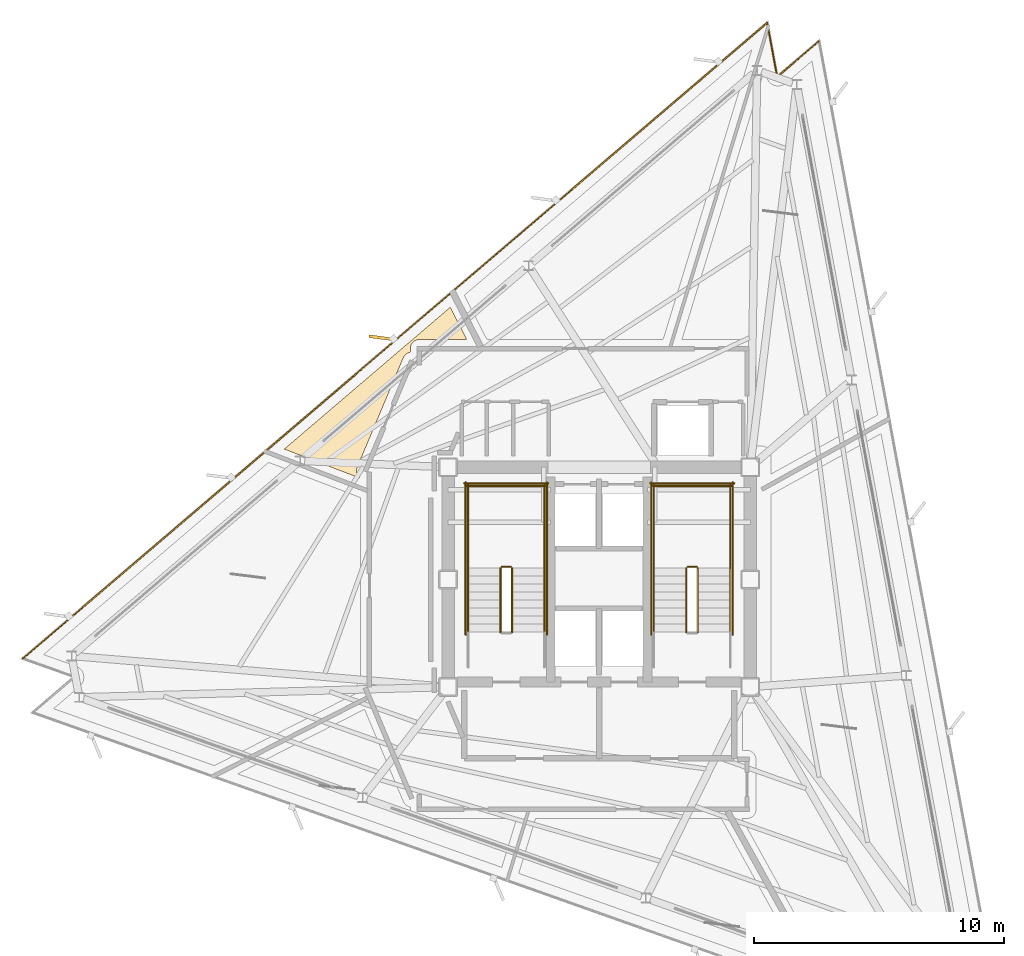
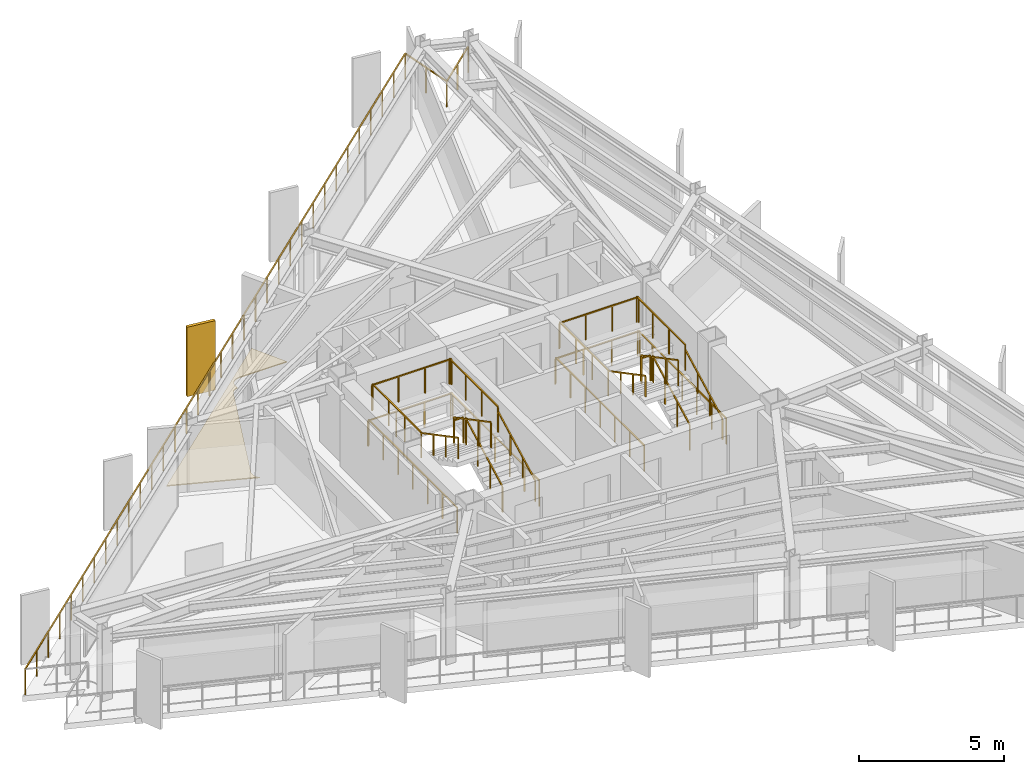
# One storey, part 12 of 14: 23 railings, 1 covering, 1 shading device.
"""IFC4 building model written with IfcOpenShell, lengths in metres."""

import ifcopenshell
import ifcopenshell.guid

model = None  # the IFC model being written
_history = None  # IfcOwnerHistory: only IFC2X3 demands one
_inside = {}  # id of a spatial element -> (the spatial element, [elements in it])
_under = {}  # id of a project, library or spatial element -> (it, [spatial elements below it])
_declared = {}  # id of a project -> (the project, [libraries it declares])
_typed = {}  # id of a type object -> (the type object, [elements of that type])
_made_of = {}  # id of a material, layer set ... -> (it, [elements and type objects made of it])


def new_model(schema):
    """Start an empty IFC model of exactly this schema.

    Asked for "IFC4X3", IfcOpenShell would pick the latest addendum, in which some entities
    have other attributes; the version numbers below select the first issue.
    IFC2X3 requires an IfcOwnerHistory on every rooted entity: one is made here for all.
    """
    global model, _history
    if schema == "IFC4X3":
        model = ifcopenshell.file(schema_version=(4, 3, 0, 0))
    else:
        model = ifcopenshell.file(schema=schema)
    _inside.clear()
    _under.clear()
    _declared.clear()
    _typed.clear()
    _made_of.clear()
    _history = None
    if model.schema == "IFC2X3":
        org = make("IfcOrganization", Name="unknown")
        user = make(
            "IfcPersonAndOrganization",
            ThePerson=make("IfcPerson", FamilyName="unknown"),
            TheOrganization=org,
        )
        app = make(
            "IfcApplication",
            ApplicationDeveloper=org,
            Version="unknown",
            ApplicationFullName="unknown",
            ApplicationIdentifier="unknown",
        )
        _history = make(
            "IfcOwnerHistory",
            OwningUser=user,
            OwningApplication=app,
            ChangeAction="ADDED",
            CreationDate=0,
        )
    return model


def make(cls, **values):
    """One entity of the class cls with the attributes given. An attribute that is None is left unset."""
    return model.create_entity(
        cls, **{name: value for name, value in values.items() if value is not None}
    )


def rooted(cls, **values):
    """An entity with a GlobalId (a new one), such as an element, a storey or a relation."""
    return make(cls, GlobalId=ifcopenshell.guid.new(), OwnerHistory=_history, **values)


def si_unit(unit_type, name, prefix=None):
    """IfcSIUnit, for example si_unit("LENGTHUNIT", "METRE", prefix="MILLI")."""
    return make("IfcSIUnit", UnitType=unit_type, Prefix=prefix, Name=name)


def assignment(units):
    """IfcUnitAssignment: the units of a project."""
    return None if units is None else make("IfcUnitAssignment", Units=units)


def point(xyz):
    """IfcCartesianPoint."""
    return None if xyz is None else make("IfcCartesianPoint", Coordinates=xyz)


def direction(xyz):
    """IfcDirection."""
    return None if xyz is None else make("IfcDirection", DirectionRatios=xyz)


def frame(location, z_axis=None, x_axis=None):
    """IfcAxis2Placement3D, a coordinate frame: its origin and axes. An axis left out is left unset."""
    return make(
        "IfcAxis2Placement3D",
        Location=point(location),
        Axis=direction(z_axis),
        RefDirection=direction(x_axis),
    )


def frame_2d(location, x_axis=None):
    """IfcAxis2Placement2D, a coordinate frame in the plane: its origin and x axis."""
    return make(
        "IfcAxis2Placement2D", Location=point(location), RefDirection=direction(x_axis)
    )


def origin():
    """The frame at (0, 0, 0) with its axes left unset."""
    return frame((0.0, 0.0, 0.0))


def origin_2d():
    """The frame at (0, 0) in the plane with its x axis left unset."""
    return frame_2d((0.0, 0.0))


def place(relative_to, where):
    """IfcLocalPlacement: puts the frame where relative to a parent placement (None: the world)."""
    return make(
        "IfcLocalPlacement", PlacementRelTo=relative_to, RelativePlacement=where
    )


def context(
    kind, dimensions, precision=None, world=None, true_north=None, identifier=None
):
    """IfcGeometricRepresentationContext, for example the 3D "Model" context."""
    return make(
        "IfcGeometricRepresentationContext",
        ContextIdentifier=identifier,
        ContextType=kind,
        CoordinateSpaceDimension=dimensions,
        Precision=precision,
        WorldCoordinateSystem=world,
        TrueNorth=true_north,
    )


def subcontext(parent, identifier, kind, view, scale=None):
    """IfcGeometricRepresentationSubContext, for example "Body" below "Model"."""
    return make(
        "IfcGeometricRepresentationSubContext",
        ContextIdentifier=identifier,
        ContextType=kind,
        ParentContext=parent,
        TargetScale=scale,
        TargetView=view,
    )


def project(units=None, contexts=None):
    """IfcProject with its units and contexts."""
    return rooted(
        "IfcProject",
        Name="project",
        RepresentationContexts=contexts,
        UnitsInContext=assignment(units),
    )


def spatial(cls, under=None, at=None, **own):
    """A site, building, storey or space (cls), placed at a placement, below another one or the project."""
    s = rooted(cls, ObjectPlacement=at, **own)
    if under is not None:
        _under.setdefault(under.id(), (under, []))[1].append(s)
    return s


def polyline(points):
    """IfcPolyline through the points."""
    return make("IfcPolyline", Points=[point(p) for p in points])


def profile(cls, at=None, kind="AREA", **sizes):
    """A parametric profile (cls). Its sizes go by their IFC names, for example OverallWidth=200.0."""
    return make(cls, ProfileType=kind, Position=at, **sizes)


def rectangle(**sizes):
    """IfcRectangleProfileDef."""
    return profile("IfcRectangleProfileDef", **sizes)


def outline(outer, holes=None, kind="AREA"):
    """IfcArbitraryClosedProfileDef: a profile drawn as a closed curve; with holes, ...WithVoids."""
    if holes is None:
        return make("IfcArbitraryClosedProfileDef", ProfileType=kind, OuterCurve=outer)
    return make(
        "IfcArbitraryProfileDefWithVoids",
        ProfileType=kind,
        OuterCurve=outer,
        InnerCurves=holes,
    )


def extrude(swept, where, along, depth):
    """IfcExtrudedAreaSolid: the profile swept, set in the frame where, extruded along a direction by depth."""
    return make(
        "IfcExtrudedAreaSolid",
        SweptArea=swept,
        Position=where,
        ExtrudedDirection=direction(along),
        Depth=depth,
    )


def shape(context_of_items, identifier, shape_type, items):
    """IfcShapeRepresentation: the items that make up one representation, for example the "Body"."""
    return make(
        "IfcShapeRepresentation",
        ContextOfItems=context_of_items,
        RepresentationIdentifier=identifier,
        RepresentationType=shape_type,
        Items=items,
    )


def material(Name=None, Category=None):
    """IfcMaterial."""
    return make("IfcMaterial", Name=Name, Category=Category)


def layer(
    of_material, thickness, ventilated=None, Name=None, Category=None, Priority=None
):
    """IfcMaterialLayer: one layer of a wall or slab, of a material (None: an air gap)."""
    return make(
        "IfcMaterialLayer",
        Material=of_material,
        LayerThickness=thickness,
        IsVentilated=ventilated,
        Name=Name,
        Category=Category,
        Priority=Priority,
    )


def layer_set(layers, Name=None):
    """IfcMaterialLayerSet."""
    return make("IfcMaterialLayerSet", MaterialLayers=layers, LayerSetName=Name)


def made_of(thing, what):
    """Note that an element or type object is made of a material, layer set ...; save() writes the relation."""
    if what is not None:
        _made_of.setdefault(what.id(), (what, []))[1].append(thing)
    return thing


def type_object(cls, material=None, **own):
    """A type object (cls), such as IfcWallType, which elements share."""
    return made_of(rooted(cls, **own), material)


def element(
    cls,
    number,
    at=None,
    inside=None,
    cuts=None,
    type_object=None,
    material=None,
    context=None,
    identifier="Body",
    shape_type=None,
    held_by="IfcProductDefinitionShape",
    body=None,
    shapes=None,
    **own,
):
    """One element of the class cls, such as IfcWall. Its Tag is "e" and its number.

    at: its placement. inside: the storey or other place that contains it. cuts: it is an
    opening in that element (IfcRelVoidsElement). A single representation is given by context,
    identifier, shape_type and body (its items); several are given by shapes. held_by: the class
    of the entity that holds the representations. save() writes the other relations.
    """
    e = rooted(cls, Tag="e%d" % number, ObjectPlacement=at, **own)
    if body is not None:
        shapes = [shape(context, identifier, shape_type, body)]
    if shapes is not None:
        e.Representation = make(held_by, Representations=shapes)
    if inside is not None:
        _inside.setdefault(inside.id(), (inside, []))[1].append(e)
    if cuts is not None:
        rooted(
            "IfcRelVoidsElement", RelatingBuildingElement=cuts, RelatedOpeningElement=e
        )
    if type_object is not None:
        _typed.setdefault(type_object.id(), (type_object, []))[1].append(e)
    return made_of(e, material)


def aggregate(whole, parts):
    """IfcRelAggregates: a whole, such as a stair, and the parts it consists of."""
    return rooted("IfcRelAggregates", RelatingObject=whole, RelatedObjects=parts)


def save(model, path):
    """Write the relations noted so far, then the file.

    IfcRelAggregates (storeys below a building ...), IfcRelContainedInSpatialStructure (elements
    in a storey), IfcRelDefinesByType, IfcRelAssociatesMaterial and IfcRelDeclares: one each for
    every whole, place, type object, material and project.
    """
    for whole, parts in _under.values():
        aggregate(whole, parts)
    for where, things in _inside.values():
        rooted(
            "IfcRelContainedInSpatialStructure",
            RelatedElements=things,
            RelatingStructure=where,
        )
    for kind, things in _typed.values():
        rooted("IfcRelDefinesByType", RelatedObjects=things, RelatingType=kind)
    for what, things in _made_of.values():
        rooted("IfcRelAssociatesMaterial", RelatedObjects=things, RelatingMaterial=what)
    for by, libraries in _declared.values():
        rooted("IfcRelDeclares", RelatingContext=by, RelatedDefinitions=libraries)
    model.write(path)


model = new_model("IFC4")

# Units and contexts
model_context = context("Model", 3, precision=1e-05, world=origin(), true_north=direction((0.0, 1.0)))
body_context = subcontext(model_context, "Body", "Model", "MODEL_VIEW")
ifc_project = project(units=[si_unit("LENGTHUNIT", "METRE"), si_unit("AREAUNIT", "SQUARE_METRE"), si_unit("VOLUMEUNIT", "CUBIC_METRE"), si_unit("PLANEANGLEUNIT", "RADIAN"), si_unit("MASSUNIT", "GRAM", prefix="KILO")], contexts=[model_context])

# Site, building, storey
site_placement = place(None, origin())
site = spatial("IfcSite", under=ifc_project, at=site_placement, CompositionType="ELEMENT")
building_placement = place(site_placement, origin())
building = spatial("IfcBuilding", under=site, at=building_placement, Name="Rocaltana Carrier Exchange", CompositionType="ELEMENT")
storey_placement = place(building_placement, frame((0.0, 0.0, 181.43994140625)))
storey = spatial("IfcBuildingStorey", under=building, at=storey_placement, Name="L57", CompositionType="ELEMENT", Elevation=181.43994140625)

# Covering
ifc_material_1 = material(Name="Honed Bogota Sandstone Tile", Category="masonry")
ifc_layer_1 = layer(ifc_material_1, 0.0400390625)
ifc_layer_set_1 = layer_set([ifc_layer_1], Name="Honed Bogota Sandstone Tile")
covering_type = type_object("IfcCoveringType", Name="Honed Stone Lobby Flooring 40", PredefinedType="FLOORING", material=ifc_layer_set_1)
covering_placement = place(storey_placement, origin())
element("IfcCovering", 1, at=covering_placement, inside=storey, type_object=covering_type, Name="L57 Client Reception Foyer Finish Floor", PredefinedType="FLOORING", context=body_context, shape_type="SweptSolid", body=[
    extrude(outline(polyline([(-9.571044921875, 4.0595703125), (-12.610595703125, 5.226318359375), (-5.960693359375, 10.90576171875), (-5.300537109375, 9.610107421875), (-7.199951171875, 9.610107421875), (-7.213623046875, 9.609619140625), (-7.2216796875, 9.609375), (-7.248779296875, 9.606689453125), (-7.256591796875, 9.60546875), (-7.28369140625, 9.60009765625), (-7.291259765625, 9.59814453125), (-7.317626953125, 9.590087890625), (-7.324951171875, 9.58740234375), (-7.350341796875, 9.576904296875), (-7.357421875, 9.57373046875), (-7.381591796875, 9.560791015625), (-7.388427734375, 9.556640625), (-7.4111328125, 9.54150390625), (-7.41748046875, 9.53662109375), (-7.438720703125, 9.519287109375), (-7.444580078125, 9.513916015625), (-7.464111328125, 9.49462890625), (-7.46923828125, 9.48876953125), (-7.48681640625, 9.467529296875), (-7.491455078125, 9.461181640625), (-7.506591796875, 9.4384765625), (-7.5107421875, 9.431640625), (-7.523681640625, 9.407470703125), (-7.527099609375, 9.400390625), (-7.53759765625, 9.375), (-7.540283203125, 9.36767578125), (-7.548095703125, 9.34130859375), (-7.550048828125, 9.33349609375), (-7.555419921875, 9.306640625), (-7.556640625, 9.298828125), (-7.559326171875, 9.271484375), (-7.559814453125, 9.263671875), (-7.56005859375, 9.25), (-7.56005859375, 9.106689453125), (-7.563720703125, 9.106201171875), (-7.5908203125, 9.100830078125), (-7.598388671875, 9.09912109375), (-7.624755859375, 9.09130859375), (-7.632080078125, 9.088623046875), (-7.65771484375, 9.078125), (-7.664794921875, 9.074951171875), (-7.68896484375, 9.06201171875), (-7.69580078125, 9.05810546875), (-7.71875, 9.04296875), (-7.72509765625, 9.038330078125), (-7.746337890625, 9.02099609375), (-7.752197265625, 9.015625), (-7.771728515625, 8.996337890625), (-7.777099609375, 8.990478515625), (-7.794677734375, 8.969482421875), (-7.79931640625, 8.963134765625), (-7.814697265625, 8.9404296875), (-7.818603515625, 8.93359375), (-7.831787109375, 8.909423828125), (-7.835205078125, 8.90234375), (-7.8408203125, 8.889892578125), (-9.69091796875, 4.489990234375), (-9.69580078125, 4.47705078125), (-9.698486328125, 4.4697265625), (-9.706787109375, 4.443603515625), (-9.70849609375, 4.435791015625), (-9.714111328125, 4.408935546875), (-9.71533203125, 4.401123046875), (-9.71826171875, 4.373779296875), (-9.718505859375, 4.365966796875), (-9.71875, 4.33837890625), (-9.718505859375, 4.330810546875), (-9.7158203125, 4.30322265625), (-9.714599609375, 4.295654296875), (-9.70947265625, 4.2685546875), (-9.70751953125, 4.260986328125), (-9.69970703125, 4.234619140625), (-9.697265625, 4.227294921875), (-9.686767578125, 4.201904296875), (-9.68359375, 4.194580078125), (-9.670654296875, 4.17041015625), (-9.666748046875, 4.16357421875), (-9.651611328125, 4.140625), (-9.64697265625, 4.134521484375), (-9.629638671875, 4.113037109375), (-9.624267578125, 4.107177734375), (-9.60498046875, 4.087646484375), (-9.59912109375, 4.082275390625), (-9.578125, 4.064697265625), (-9.57177734375, 4.06005859375), (-9.571044921875, 4.0595703125)])), origin(), (0.0, 0.0, 1.0), 0.0400390625),
])

# Railings
ifc_material_2 = material(Name="Brushed Architectural Stainless Tube", Category="steel")
ifc_layer_2 = layer(ifc_material_2, 0.048095703125)
ifc_layer_set_2 = layer_set([ifc_layer_2], Name="Brushed Architectural Stainless Tube")
railing_type_1 = type_object("IfcRailingType", Name="Stair Wall Handrail 920", PredefinedType="HANDRAIL", material=ifc_layer_set_2)
railing_1_placement = place(storey_placement, frame((-2.18994140625, -2.10009765625, 0.1689453125)))
element("IfcRailing", 2, at=railing_1_placement, inside=storey, type_object=railing_type_1, Name="L57 ST-1 stair handrail 1", PredefinedType="HANDRAIL", context=body_context, shape_type="SweptSolid", body=[
    extrude(rectangle(XDim=0.048095703125, YDim=0.048095703125, at=origin_2d()), frame((0.0, 0.0, 0.8759765625), z_axis=(0.0, 0.884394423565, 0.466740295633), x_axis=(-1.0, 0.0, 0.0)), (0.0, 0.0, 1.0), 2.894775390625),
    extrude(rectangle(XDim=0.0419921875, YDim=0.0419921875, at=origin_2d()), origin(), (0.0, 0.0, 1.0), 0.851806640625),
    extrude(rectangle(XDim=0.0419921875, YDim=0.0419921875, at=origin_2d()), frame((0.0, 0.853271484375, 0.450439453125)), (0.0, 0.0, 1.0), 0.851806640625),
    extrude(rectangle(XDim=0.0419921875, YDim=0.0419921875, at=origin_2d()), frame((0.0, 1.706787109375, 0.900634765625)), (0.0, 0.0, 1.0), 0.851806640625),
    extrude(rectangle(XDim=0.0419921875, YDim=0.0419921875, at=origin_2d()), frame((0.0, 2.56005859375, 1.35107421875)), (0.0, 0.0, 1.0), 0.851806640625),
])
railing_2_placement = place(storey_placement, frame((-5.25, 0.4599609375, 1.68896484375)))
element("IfcRailing", 3, at=railing_2_placement, inside=storey, type_object=railing_type_1, Name="L57 ST-1 stair handrail 2", PredefinedType="HANDRAIL", context=body_context, shape_type="SweptSolid", body=[
    extrude(rectangle(XDim=0.048095703125, YDim=0.048095703125, at=origin_2d()), frame((0.0, 0.0, 0.8759765625), z_axis=(0.0, -0.884394423565, 0.466740295633), x_axis=(1.0, 0.0, 0.0)), (0.0, 0.0, 1.0), 2.894775390625),
    extrude(rectangle(XDim=0.0419921875, YDim=0.0419921875, at=origin_2d()), origin(), (0.0, 0.0, 1.0), 0.851806640625),
    extrude(rectangle(XDim=0.0419921875, YDim=0.0419921875, at=origin_2d()), frame((0.0, -0.853271484375, 0.450439453125)), (0.0, 0.0, 1.0), 0.851806640625),
    extrude(rectangle(XDim=0.0419921875, YDim=0.0419921875, at=origin_2d()), frame((0.0, -1.706787109375, 0.900634765625)), (0.0, 0.0, 1.0), 0.851806640625),
    extrude(rectangle(XDim=0.0419921875, YDim=0.0419921875, at=origin_2d()), frame((0.0, -2.56005859375, 1.35107421875)), (0.0, 0.0, 1.0), 0.851806640625),
])
railing_3_placement = place(storey_placement, frame((5.25, -2.10009765625, 0.1689453125)))
element("IfcRailing", 4, at=railing_3_placement, inside=storey, type_object=railing_type_1, Name="L57 ST-2 stair handrail 1", PredefinedType="HANDRAIL", context=body_context, shape_type="SweptSolid", body=[
    extrude(rectangle(XDim=0.048095703125, YDim=0.048095703125, at=origin_2d()), frame((0.0, 0.0, 0.8759765625), z_axis=(0.0, 0.884394423565, 0.466740295633), x_axis=(-1.0, 0.0, 0.0)), (0.0, 0.0, 1.0), 2.894775390625),
    extrude(rectangle(XDim=0.0419921875, YDim=0.0419921875, at=origin_2d()), origin(), (0.0, 0.0, 1.0), 0.851806640625),
    extrude(rectangle(XDim=0.0419921875, YDim=0.0419921875, at=origin_2d()), frame((0.0, 0.853271484375, 0.450439453125)), (0.0, 0.0, 1.0), 0.851806640625),
    extrude(rectangle(XDim=0.0419921875, YDim=0.0419921875, at=origin_2d()), frame((0.0, 1.706787109375, 0.900634765625)), (0.0, 0.0, 1.0), 0.851806640625),
    extrude(rectangle(XDim=0.0419921875, YDim=0.0419921875, at=origin_2d()), frame((0.0, 2.56005859375, 1.35107421875)), (0.0, 0.0, 1.0), 0.851806640625),
])
railing_4_placement = place(storey_placement, frame((2.18994140625, 0.4599609375, 1.68896484375)))
element("IfcRailing", 5, at=railing_4_placement, inside=storey, type_object=railing_type_1, Name="L57 ST-2 stair handrail 2", PredefinedType="HANDRAIL", context=body_context, shape_type="SweptSolid", body=[
    extrude(rectangle(XDim=0.048095703125, YDim=0.048095703125, at=origin_2d()), frame((0.0, 0.0, 0.8759765625), z_axis=(0.0, -0.884394423565, 0.466740295633), x_axis=(1.0, 0.0, 0.0)), (0.0, 0.0, 1.0), 2.894775390625),
    extrude(rectangle(XDim=0.0419921875, YDim=0.0419921875, at=origin_2d()), origin(), (0.0, 0.0, 1.0), 0.851806640625),
    extrude(rectangle(XDim=0.0419921875, YDim=0.0419921875, at=origin_2d()), frame((0.0, -0.853271484375, 0.450439453125)), (0.0, 0.0, 1.0), 0.851806640625),
    extrude(rectangle(XDim=0.0419921875, YDim=0.0419921875, at=origin_2d()), frame((0.0, -1.706787109375, 0.900634765625)), (0.0, 0.0, 1.0), 0.851806640625),
    extrude(rectangle(XDim=0.0419921875, YDim=0.0419921875, at=origin_2d()), frame((0.0, -2.56005859375, 1.35107421875)), (0.0, 0.0, 1.0), 0.851806640625),
])
ifc_material_3 = material(Name="Powder-Coated Aluminium 6063-T6", Category="aluminium")
ifc_layer_3 = layer(ifc_material_3, 0.048095703125)
ifc_layer_set_3 = layer_set([ifc_layer_3], Name="Powder-Coated Aluminium 6063-T6")
railing_type_2 = type_object("IfcRailingType", Name="Stair Well Guardrail 1100", PredefinedType="GUARDRAIL", material=ifc_layer_set_3)
railing_5_placement = place(storey_placement, frame((-3.489990234375, -2.10009765625, 0.1689453125)))
element("IfcRailing", 6, at=railing_5_placement, inside=storey, type_object=railing_type_2, Name="L57 ST-1 stair guard 1", PredefinedType="GUARDRAIL", context=body_context, shape_type="SweptSolid", body=[
    extrude(rectangle(XDim=0.048095703125, YDim=0.048095703125, at=origin_2d()), frame((0.0, 0.0, 1.076171875), z_axis=(0.0, 0.884394423565, 0.466740295633), x_axis=(-1.0, 0.0, 0.0)), (0.0, 0.0, 1.0), 2.894775390625),
    extrude(rectangle(XDim=0.0419921875, YDim=0.0419921875, at=origin_2d()), origin(), (0.0, 0.0, 1.0), 1.052001953125),
    extrude(rectangle(XDim=0.0419921875, YDim=0.0419921875, at=origin_2d()), frame((0.0, 0.853271484375, 0.450439453125)), (0.0, 0.0, 1.0), 1.052001953125),
    extrude(rectangle(XDim=0.0419921875, YDim=0.0419921875, at=origin_2d()), frame((0.0, 1.706787109375, 0.900634765625)), (0.0, 0.0, 1.0), 1.052001953125),
    extrude(rectangle(XDim=0.0419921875, YDim=0.0419921875, at=origin_2d()), frame((0.0, 2.56005859375, 1.35107421875)), (0.0, 0.0, 1.0), 1.052001953125),
])
railing_6_placement = place(storey_placement, frame((-3.5400390625, 0.510009765625, 1.52001953125)))
element("IfcRailing", 7, at=railing_6_placement, inside=storey, type_object=railing_type_2, Name="L57 ST-1 stair guard 2", PredefinedType="GUARDRAIL", context=body_context, shape_type="SweptSolid", body=[
    extrude(rectangle(XDim=0.048095703125, YDim=0.048095703125, at=origin_2d()), frame((0.0, 0.0, 1.076171875), z_axis=(-1.0, 0.0, 0.0), x_axis=(0.0, -1.0, 0.0)), (0.0, 0.0, 1.0), 0.35986328125),
    extrude(rectangle(XDim=0.0419921875, YDim=0.0419921875, at=origin_2d()), origin(), (0.0, 0.0, 1.0), 1.052001953125),
    extrude(rectangle(XDim=0.0419921875, YDim=0.0419921875, at=origin_2d()), frame((-0.35986328125, 0.0, 0.0)), (0.0, 0.0, 1.0), 1.052001953125),
])
for number, where, name in (
    (8, (-2.18994140625, 0.4599609375, 1.52001953125), "L57 ST-1 stair guard 3"),
    (9, (-5.25, 0.4599609375, 1.52001953125), "L57 ST-1 stair guard 4"),
):
    element("IfcRailing", number, at=place(storey_placement, frame(where)), inside=storey, type_object=railing_type_2, Name=name, PredefinedType="GUARDRAIL", context=body_context, shape_type="SweptSolid", body=[
        extrude(rectangle(XDim=0.048095703125, YDim=0.048095703125, at=origin_2d()), frame((0.0, 0.0, 1.076171875), z_axis=(0.0, 1.0, 0.0), x_axis=(-1.0, 0.0, 0.0)), (0.0, 0.0, 1.0), 3.340087890625),
        extrude(rectangle(XDim=0.0419921875, YDim=0.0419921875, at=origin_2d()), origin(), (0.0, 0.0, 1.0), 1.052001953125),
        extrude(rectangle(XDim=0.0419921875, YDim=0.0419921875, at=origin_2d()), frame((0.0, 1.11328125, 0.0)), (0.0, 0.0, 1.0), 1.052001953125),
        extrude(rectangle(XDim=0.0419921875, YDim=0.0419921875, at=origin_2d()), frame((0.0, 2.226806640625, 0.0)), (0.0, 0.0, 1.0), 1.052001953125),
        extrude(rectangle(XDim=0.0419921875, YDim=0.0419921875, at=origin_2d()), frame((0.0, 3.340087890625, 0.0)), (0.0, 0.0, 1.0), 1.052001953125),
    ])
railing_7_placement = place(storey_placement, frame((-2.139892578125, 3.75, 1.52001953125)))
element("IfcRailing", 10, at=railing_7_placement, inside=storey, type_object=railing_type_2, Name="L57 ST-1 stair guard 5", PredefinedType="GUARDRAIL", context=body_context, shape_type="SweptSolid", body=[
    extrude(rectangle(XDim=0.048095703125, YDim=0.048095703125, at=origin_2d()), frame((0.0, 0.0, 1.076171875), z_axis=(-1.0, 0.0, 0.0), x_axis=(0.0, -1.0, 0.0)), (0.0, 0.0, 1.0), 3.16015625),
    extrude(rectangle(XDim=0.0419921875, YDim=0.0419921875, at=origin_2d()), origin(), (0.0, 0.0, 1.0), 1.052001953125),
    extrude(rectangle(XDim=0.0419921875, YDim=0.0419921875, at=origin_2d()), frame((-1.053466796875, 0.0, 0.0)), (0.0, 0.0, 1.0), 1.052001953125),
    extrude(rectangle(XDim=0.0419921875, YDim=0.0419921875, at=origin_2d()), frame((-2.106689453125, 0.0, 0.0)), (0.0, 0.0, 1.0), 1.052001953125),
    extrude(rectangle(XDim=0.0419921875, YDim=0.0419921875, at=origin_2d()), frame((-3.16015625, 0.0, 0.0)), (0.0, 0.0, 1.0), 1.052001953125),
])
railing_8_placement = place(storey_placement, frame((-3.949951171875, 0.4599609375, 1.68896484375)))
element("IfcRailing", 11, at=railing_8_placement, inside=storey, type_object=railing_type_2, Name="L57 ST-1 stair guard 6", PredefinedType="GUARDRAIL", context=body_context, shape_type="SweptSolid", body=[
    extrude(rectangle(XDim=0.048095703125, YDim=0.048095703125, at=origin_2d()), frame((0.0, 0.0, 1.076171875), z_axis=(0.0, -0.884394423565, 0.466740295633), x_axis=(1.0, 0.0, 0.0)), (0.0, 0.0, 1.0), 2.894775390625),
    extrude(rectangle(XDim=0.0419921875, YDim=0.0419921875, at=origin_2d()), origin(), (0.0, 0.0, 1.0), 1.052001953125),
    extrude(rectangle(XDim=0.0419921875, YDim=0.0419921875, at=origin_2d()), frame((0.0, -0.853271484375, 0.450439453125)), (0.0, 0.0, 1.0), 1.052001953125),
    extrude(rectangle(XDim=0.0419921875, YDim=0.0419921875, at=origin_2d()), frame((0.0, -1.706787109375, 0.900634765625)), (0.0, 0.0, 1.0), 1.052001953125),
    extrude(rectangle(XDim=0.0419921875, YDim=0.0419921875, at=origin_2d()), frame((0.0, -2.56005859375, 1.35107421875)), (0.0, 0.0, 1.0), 1.052001953125),
])
for number, where, name in (
    (12, (-2.090087890625, -2.199951171875, 0.0), "L57 ST-1 stair guard 10"),
    (13, (-5.35009765625, -2.199951171875, 0.0), "L57 ST-1 stair guard 11"),
):
    element("IfcRailing", number, at=place(storey_placement, frame(where)), inside=storey, type_object=railing_type_2, Name=name, PredefinedType="GUARDRAIL", context=body_context, shape_type="SweptSolid", body=[
        extrude(rectangle(XDim=0.048095703125, YDim=0.048095703125, at=origin_2d()), frame((0.0, 0.0, 1.076171875), z_axis=(0.0, 1.0, 0.0), x_axis=(-1.0, 0.0, 0.0)), (0.0, 0.0, 1.0), 6.099853515625),
        extrude(rectangle(XDim=0.0419921875, YDim=0.0419921875, at=origin_2d()), origin(), (0.0, 0.0, 1.0), 1.052001953125),
        extrude(rectangle(XDim=0.0419921875, YDim=0.0419921875, at=origin_2d()), frame((0.0, 1.0166015625, 0.0)), (0.0, 0.0, 1.0), 1.052001953125),
        extrude(rectangle(XDim=0.0419921875, YDim=0.0419921875, at=origin_2d()), frame((0.0, 2.033203125, 0.0)), (0.0, 0.0, 1.0), 1.052001953125),
        extrude(rectangle(XDim=0.0419921875, YDim=0.0419921875, at=origin_2d()), frame((0.0, 3.0498046875, 0.0)), (0.0, 0.0, 1.0), 1.052001953125),
        extrude(rectangle(XDim=0.0419921875, YDim=0.0419921875, at=origin_2d()), frame((0.0, 4.066650390625, 0.0)), (0.0, 0.0, 1.0), 1.052001953125),
        extrude(rectangle(XDim=0.0419921875, YDim=0.0419921875, at=origin_2d()), frame((0.0, 5.083251953125, 0.0)), (0.0, 0.0, 1.0), 1.052001953125),
        extrude(rectangle(XDim=0.0419921875, YDim=0.0419921875, at=origin_2d()), frame((0.0, 6.099853515625, 0.0)), (0.0, 0.0, 1.0), 1.052001953125),
    ])
railing_9_placement = place(storey_placement, frame((-2.0400390625, 3.85009765625, 0.0)))
element("IfcRailing", 14, at=railing_9_placement, inside=storey, type_object=railing_type_2, Name="L57 ST-1 stair guard 12", PredefinedType="GUARDRAIL", context=body_context, shape_type="SweptSolid", body=[
    extrude(rectangle(XDim=0.048095703125, YDim=0.048095703125, at=origin_2d()), frame((0.0, 0.0, 1.076171875), z_axis=(-1.0, 0.0, 0.0), x_axis=(0.0, -1.0, 0.0)), (0.0, 0.0, 1.0), 3.35986328125),
    extrude(rectangle(XDim=0.0419921875, YDim=0.0419921875, at=origin_2d()), origin(), (0.0, 0.0, 1.0), 1.052001953125),
    extrude(rectangle(XDim=0.0419921875, YDim=0.0419921875, at=origin_2d()), frame((-1.119873046875, 0.0, 0.0)), (0.0, 0.0, 1.0), 1.052001953125),
    extrude(rectangle(XDim=0.0419921875, YDim=0.0419921875, at=origin_2d()), frame((-2.239990234375, 0.0, 0.0)), (0.0, 0.0, 1.0), 1.052001953125),
    extrude(rectangle(XDim=0.0419921875, YDim=0.0419921875, at=origin_2d()), frame((-3.35986328125, 0.0, 0.0)), (0.0, 0.0, 1.0), 1.052001953125),
])
railing_10_placement = place(storey_placement, frame((3.949951171875, -2.10009765625, 0.1689453125)))
element("IfcRailing", 15, at=railing_10_placement, inside=storey, type_object=railing_type_2, Name="L57 ST-2 stair guard 1", PredefinedType="GUARDRAIL", context=body_context, shape_type="SweptSolid", body=[
    extrude(rectangle(XDim=0.048095703125, YDim=0.048095703125, at=origin_2d()), frame((0.0, 0.0, 1.076171875), z_axis=(0.0, 0.884394423565, 0.466740295633), x_axis=(-1.0, 0.0, 0.0)), (0.0, 0.0, 1.0), 2.894775390625),
    extrude(rectangle(XDim=0.0419921875, YDim=0.0419921875, at=origin_2d()), origin(), (0.0, 0.0, 1.0), 1.052001953125),
    extrude(rectangle(XDim=0.0419921875, YDim=0.0419921875, at=origin_2d()), frame((0.0, 0.853271484375, 0.450439453125)), (0.0, 0.0, 1.0), 1.052001953125),
    extrude(rectangle(XDim=0.0419921875, YDim=0.0419921875, at=origin_2d()), frame((0.0, 1.706787109375, 0.900634765625)), (0.0, 0.0, 1.0), 1.052001953125),
    extrude(rectangle(XDim=0.0419921875, YDim=0.0419921875, at=origin_2d()), frame((0.0, 2.56005859375, 1.35107421875)), (0.0, 0.0, 1.0), 1.052001953125),
])
railing_11_placement = place(storey_placement, frame((3.89990234375, 0.510009765625, 1.52001953125)))
element("IfcRailing", 16, at=railing_11_placement, inside=storey, type_object=railing_type_2, Name="L57 ST-2 stair guard 2", PredefinedType="GUARDRAIL", context=body_context, shape_type="SweptSolid", body=[
    extrude(rectangle(XDim=0.048095703125, YDim=0.048095703125, at=origin_2d()), frame((0.0, 0.0, 1.076171875), z_axis=(-1.0, 0.0, 0.0), x_axis=(0.0, -1.0, 0.0)), (0.0, 0.0, 1.0), 0.35986328125),
    extrude(rectangle(XDim=0.0419921875, YDim=0.0419921875, at=origin_2d()), origin(), (0.0, 0.0, 1.0), 1.052001953125),
    extrude(rectangle(XDim=0.0419921875, YDim=0.0419921875, at=origin_2d()), frame((-0.35986328125, 0.0, 0.0)), (0.0, 0.0, 1.0), 1.052001953125),
])
for number, where, name in (
    (17, (5.25, 0.4599609375, 1.52001953125), "L57 ST-2 stair guard 3"),
    (18, (2.18994140625, 0.4599609375, 1.52001953125), "L57 ST-2 stair guard 4"),
):
    element("IfcRailing", number, at=place(storey_placement, frame(where)), inside=storey, type_object=railing_type_2, Name=name, PredefinedType="GUARDRAIL", context=body_context, shape_type="SweptSolid", body=[
        extrude(rectangle(XDim=0.048095703125, YDim=0.048095703125, at=origin_2d()), frame((0.0, 0.0, 1.076171875), z_axis=(0.0, 1.0, 0.0), x_axis=(-1.0, 0.0, 0.0)), (0.0, 0.0, 1.0), 3.340087890625),
        extrude(rectangle(XDim=0.0419921875, YDim=0.0419921875, at=origin_2d()), origin(), (0.0, 0.0, 1.0), 1.052001953125),
        extrude(rectangle(XDim=0.0419921875, YDim=0.0419921875, at=origin_2d()), frame((0.0, 1.11328125, 0.0)), (0.0, 0.0, 1.0), 1.052001953125),
        extrude(rectangle(XDim=0.0419921875, YDim=0.0419921875, at=origin_2d()), frame((0.0, 2.226806640625, 0.0)), (0.0, 0.0, 1.0), 1.052001953125),
        extrude(rectangle(XDim=0.0419921875, YDim=0.0419921875, at=origin_2d()), frame((0.0, 3.340087890625, 0.0)), (0.0, 0.0, 1.0), 1.052001953125),
    ])
railing_12_placement = place(storey_placement, frame((5.300048828125, 3.75, 1.52001953125)))
element("IfcRailing", 19, at=railing_12_placement, inside=storey, type_object=railing_type_2, Name="L57 ST-2 stair guard 5", PredefinedType="GUARDRAIL", context=body_context, shape_type="SweptSolid", body=[
    extrude(rectangle(XDim=0.048095703125, YDim=0.048095703125, at=origin_2d()), frame((0.0, 0.0, 1.076171875), z_axis=(-1.0, 0.0, 0.0), x_axis=(0.0, -1.0, 0.0)), (0.0, 0.0, 1.0), 3.16015625),
    extrude(rectangle(XDim=0.0419921875, YDim=0.0419921875, at=origin_2d()), origin(), (0.0, 0.0, 1.0), 1.052001953125),
    extrude(rectangle(XDim=0.0419921875, YDim=0.0419921875, at=origin_2d()), frame((-1.053466796875, 0.0, 0.0)), (0.0, 0.0, 1.0), 1.052001953125),
    extrude(rectangle(XDim=0.0419921875, YDim=0.0419921875, at=origin_2d()), frame((-2.106689453125, 0.0, 0.0)), (0.0, 0.0, 1.0), 1.052001953125),
    extrude(rectangle(XDim=0.0419921875, YDim=0.0419921875, at=origin_2d()), frame((-3.16015625, 0.0, 0.0)), (0.0, 0.0, 1.0), 1.052001953125),
])
railing_13_placement = place(storey_placement, frame((3.489990234375, 0.4599609375, 1.68896484375)))
element("IfcRailing", 20, at=railing_13_placement, inside=storey, type_object=railing_type_2, Name="L57 ST-2 stair guard 6", PredefinedType="GUARDRAIL", context=body_context, shape_type="SweptSolid", body=[
    extrude(rectangle(XDim=0.048095703125, YDim=0.048095703125, at=origin_2d()), frame((0.0, 0.0, 1.076171875), z_axis=(0.0, -0.884394423565, 0.466740295633), x_axis=(1.0, 0.0, 0.0)), (0.0, 0.0, 1.0), 2.894775390625),
    extrude(rectangle(XDim=0.0419921875, YDim=0.0419921875, at=origin_2d()), origin(), (0.0, 0.0, 1.0), 1.052001953125),
    extrude(rectangle(XDim=0.0419921875, YDim=0.0419921875, at=origin_2d()), frame((0.0, -0.853271484375, 0.450439453125)), (0.0, 0.0, 1.0), 1.052001953125),
    extrude(rectangle(XDim=0.0419921875, YDim=0.0419921875, at=origin_2d()), frame((0.0, -1.706787109375, 0.900634765625)), (0.0, 0.0, 1.0), 1.052001953125),
    extrude(rectangle(XDim=0.0419921875, YDim=0.0419921875, at=origin_2d()), frame((0.0, -2.56005859375, 1.35107421875)), (0.0, 0.0, 1.0), 1.052001953125),
])
for number, where, name in (
    (21, (5.35009765625, -2.199951171875, 0.0), "L57 ST-2 stair guard 10"),
    (22, (2.090087890625, -2.199951171875, 0.0), "L57 ST-2 stair guard 11"),
):
    element("IfcRailing", number, at=place(storey_placement, frame(where)), inside=storey, type_object=railing_type_2, Name=name, PredefinedType="GUARDRAIL", context=body_context, shape_type="SweptSolid", body=[
        extrude(rectangle(XDim=0.048095703125, YDim=0.048095703125, at=origin_2d()), frame((0.0, 0.0, 1.076171875), z_axis=(0.0, 1.0, 0.0), x_axis=(-1.0, 0.0, 0.0)), (0.0, 0.0, 1.0), 6.099853515625),
        extrude(rectangle(XDim=0.0419921875, YDim=0.0419921875, at=origin_2d()), origin(), (0.0, 0.0, 1.0), 1.052001953125),
        extrude(rectangle(XDim=0.0419921875, YDim=0.0419921875, at=origin_2d()), frame((0.0, 1.0166015625, 0.0)), (0.0, 0.0, 1.0), 1.052001953125),
        extrude(rectangle(XDim=0.0419921875, YDim=0.0419921875, at=origin_2d()), frame((0.0, 2.033203125, 0.0)), (0.0, 0.0, 1.0), 1.052001953125),
        extrude(rectangle(XDim=0.0419921875, YDim=0.0419921875, at=origin_2d()), frame((0.0, 3.0498046875, 0.0)), (0.0, 0.0, 1.0), 1.052001953125),
        extrude(rectangle(XDim=0.0419921875, YDim=0.0419921875, at=origin_2d()), frame((0.0, 4.066650390625, 0.0)), (0.0, 0.0, 1.0), 1.052001953125),
        extrude(rectangle(XDim=0.0419921875, YDim=0.0419921875, at=origin_2d()), frame((0.0, 5.083251953125, 0.0)), (0.0, 0.0, 1.0), 1.052001953125),
        extrude(rectangle(XDim=0.0419921875, YDim=0.0419921875, at=origin_2d()), frame((0.0, 6.099853515625, 0.0)), (0.0, 0.0, 1.0), 1.052001953125),
    ])
railing_14_placement = place(storey_placement, frame((5.39990234375, 3.85009765625, 0.0)))
element("IfcRailing", 23, at=railing_14_placement, inside=storey, type_object=railing_type_2, Name="L57 ST-2 stair guard 12", PredefinedType="GUARDRAIL", context=body_context, shape_type="SweptSolid", body=[
    extrude(rectangle(XDim=0.048095703125, YDim=0.048095703125, at=origin_2d()), frame((0.0, 0.0, 1.076171875), z_axis=(-1.0, 0.0, 0.0), x_axis=(0.0, -1.0, 0.0)), (0.0, 0.0, 1.0), 3.35986328125),
    extrude(rectangle(XDim=0.0419921875, YDim=0.0419921875, at=origin_2d()), origin(), (0.0, 0.0, 1.0), 1.052001953125),
    extrude(rectangle(XDim=0.0419921875, YDim=0.0419921875, at=origin_2d()), frame((-1.119873046875, 0.0, 0.0)), (0.0, 0.0, 1.0), 1.052001953125),
    extrude(rectangle(XDim=0.0419921875, YDim=0.0419921875, at=origin_2d()), frame((-2.239990234375, 0.0, 0.0)), (0.0, 0.0, 1.0), 1.052001953125),
    extrude(rectangle(XDim=0.0419921875, YDim=0.0419921875, at=origin_2d()), frame((-3.35986328125, 0.0, 0.0)), (0.0, 0.0, 1.0), 1.052001953125),
])

# Shading device
ifc_material_4 = material(Name="Honed Bogota Sandstone & Concrete C45/55", Category="masonry")
ifc_layer_4 = layer(ifc_material_4, 0.1201171875)
ifc_layer_set_4 = layer_set([ifc_layer_4], Name="Honed Bogota Sandstone & Concrete C45/55")
shading_device_type = type_object("IfcShadingDeviceType", Name="Upper Sandstone Shading Fin 1050x120", PredefinedType="USERDEFINED", material=ifc_layer_set_4)
shading_device_placement = place(storey_placement, frame((-8.6923828125, 9.677978515625, -0.119873046875), z_axis=(0.0, 0.0, 1.0), x_axis=(-0.991444861374, 0.13052619222, 0.0)))
element("IfcShadingDevice", 24, at=shading_device_placement, inside=storey, type_object=shading_device_type, Name="L57 Sandstone Vertical Fin F2-03", ObjectType="FIN", PredefinedType="USERDEFINED", context=body_context, shape_type="SweptSolid", body=[
    extrude(rectangle(XDim=1.050048828125, YDim=0.1201171875, at=origin_2d()), origin(), (0.0, 0.0, 1.0), 2.91796875),
])

# Railing
ifc_material_5 = material(Name="Powder-Coated Aluminium 6063-T6", Category="aluminium")
ifc_layer_5 = layer(ifc_material_5, 0.06005859375)
ifc_layer_set_5 = layer_set([ifc_layer_5], Name="Powder-Coated Aluminium 6063-T6")
railing_type_3 = type_object("IfcRailingType", Name="Wind-Floor & Terrace Perimeter Guardrail 1100", PredefinedType="GUARDRAIL", material=ifc_layer_set_5)
railing_15_placement = place(storey_placement, frame((-23.073486328125, -3.15771484375, 0.0)))
element("IfcRailing", 25, at=railing_15_placement, inside=storey, type_object=railing_type_3, Name="L57 Perimeter Balcony Guardrail 2", PredefinedType="GUARDRAIL", context=body_context, shape_type="SweptSolid", body=[
    extrude(rectangle(XDim=0.048095703125, YDim=0.048095703125, at=origin_2d()), frame((0.0, 0.0, 1.076171875), z_axis=(0.760402646587, 0.649451934375, 0.0), x_axis=(-0.649451934375, 0.760402646587, 0.0)), (0.0, 0.0, 1.0), 39.192138671875),
    extrude(rectangle(XDim=0.048095703125, YDim=0.048095703125, at=origin_2d()), frame((29.8017578125, 25.453369140625, 1.076171875), z_axis=(0.182204491792, -0.983260658814, 0.0), x_axis=(0.983260658814, 0.182204491792, 0.0)), (0.0, 0.0, 1.0), 2.2001953125),
    extrude(rectangle(XDim=0.048095703125, YDim=0.048095703125, at=origin_2d()), frame((30.20263671875, 23.2900390625, 1.076171875), z_axis=(0.760359977453, 0.649501889672, 0.0), x_axis=(-0.649501889672, 0.760359977453, 0.0)), (0.0, 0.0, 1.0), 2.2001953125),
    extrude(rectangle(XDim=0.0419921875, YDim=0.0419921875, at=origin_2d()), origin(), (0.0, 0.0, 1.0), 1.052001953125),
    extrude(rectangle(XDim=0.0419921875, YDim=0.0419921875, at=origin_2d()), frame((0.903076171875, 0.771240234375, 0.0)), (0.0, 0.0, 1.0), 1.052001953125),
    extrude(rectangle(XDim=0.0419921875, YDim=0.0419921875, at=origin_2d()), frame((1.80615234375, 1.542724609375, 0.0)), (0.0, 0.0, 1.0), 1.052001953125),
    extrude(rectangle(XDim=0.0419921875, YDim=0.0419921875, at=origin_2d()), frame((2.709228515625, 2.31396484375, 0.0)), (0.0, 0.0, 1.0), 1.052001953125),
    extrude(rectangle(XDim=0.0419921875, YDim=0.0419921875, at=origin_2d()), frame((3.6123046875, 3.085205078125, 0.0)), (0.0, 0.0, 1.0), 1.052001953125),
    extrude(rectangle(XDim=0.0419921875, YDim=0.0419921875, at=origin_2d()), frame((4.515380859375, 3.856689453125, 0.0)), (0.0, 0.0, 1.0), 1.052001953125),
    extrude(rectangle(XDim=0.0419921875, YDim=0.0419921875, at=origin_2d()), frame((5.41845703125, 4.6279296875, 0.0)), (0.0, 0.0, 1.0), 1.052001953125),
    extrude(rectangle(XDim=0.0419921875, YDim=0.0419921875, at=origin_2d()), frame((6.321533203125, 5.399169921875, 0.0)), (0.0, 0.0, 1.0), 1.052001953125),
    extrude(rectangle(XDim=0.0419921875, YDim=0.0419921875, at=origin_2d()), frame((7.224609375, 6.17041015625, 0.0)), (0.0, 0.0, 1.0), 1.052001953125),
    extrude(rectangle(XDim=0.0419921875, YDim=0.0419921875, at=origin_2d()), frame((8.127685546875, 6.94189453125, 0.0)), (0.0, 0.0, 1.0), 1.052001953125),
    extrude(rectangle(XDim=0.0419921875, YDim=0.0419921875, at=origin_2d()), frame((9.03076171875, 7.713134765625, 0.0)), (0.0, 0.0, 1.0), 1.052001953125),
    extrude(rectangle(XDim=0.0419921875, YDim=0.0419921875, at=origin_2d()), frame((9.933837890625, 8.484375, 0.0)), (0.0, 0.0, 1.0), 1.052001953125),
    extrude(rectangle(XDim=0.0419921875, YDim=0.0419921875, at=origin_2d()), frame((10.8369140625, 9.255859375, 0.0)), (0.0, 0.0, 1.0), 1.052001953125),
    extrude(rectangle(XDim=0.0419921875, YDim=0.0419921875, at=origin_2d()), frame((11.739990234375, 10.027099609375, 0.0)), (0.0, 0.0, 1.0), 1.052001953125),
    extrude(rectangle(XDim=0.0419921875, YDim=0.0419921875, at=origin_2d()), frame((12.64306640625, 10.79833984375, 0.0)), (0.0, 0.0, 1.0), 1.052001953125),
    extrude(rectangle(XDim=0.0419921875, YDim=0.0419921875, at=origin_2d()), frame((13.546142578125, 11.56982421875, 0.0)), (0.0, 0.0, 1.0), 1.052001953125),
    extrude(rectangle(XDim=0.0419921875, YDim=0.0419921875, at=origin_2d()), frame((14.44921875, 12.341064453125, 0.0)), (0.0, 0.0, 1.0), 1.052001953125),
    extrude(rectangle(XDim=0.0419921875, YDim=0.0419921875, at=origin_2d()), frame((15.3525390625, 13.1123046875, 0.0)), (0.0, 0.0, 1.0), 1.052001953125),
    extrude(rectangle(XDim=0.0419921875, YDim=0.0419921875, at=origin_2d()), frame((16.255615234375, 13.883544921875, 0.0)), (0.0, 0.0, 1.0), 1.052001953125),
    extrude(rectangle(XDim=0.0419921875, YDim=0.0419921875, at=origin_2d()), frame((17.15869140625, 14.655029296875, 0.0)), (0.0, 0.0, 1.0), 1.052001953125),
    extrude(rectangle(XDim=0.0419921875, YDim=0.0419921875, at=origin_2d()), frame((18.061767578125, 15.42626953125, 0.0)), (0.0, 0.0, 1.0), 1.052001953125),
    extrude(rectangle(XDim=0.0419921875, YDim=0.0419921875, at=origin_2d()), frame((18.96484375, 16.197509765625, 0.0)), (0.0, 0.0, 1.0), 1.052001953125),
    extrude(rectangle(XDim=0.0419921875, YDim=0.0419921875, at=origin_2d()), frame((19.867919921875, 16.968994140625, 0.0)), (0.0, 0.0, 1.0), 1.052001953125),
    extrude(rectangle(XDim=0.0419921875, YDim=0.0419921875, at=origin_2d()), frame((20.77099609375, 17.740234375, 0.0)), (0.0, 0.0, 1.0), 1.052001953125),
    extrude(rectangle(XDim=0.0419921875, YDim=0.0419921875, at=origin_2d()), frame((21.674072265625, 18.511474609375, 0.0)), (0.0, 0.0, 1.0), 1.052001953125),
    extrude(rectangle(XDim=0.0419921875, YDim=0.0419921875, at=origin_2d()), frame((22.5771484375, 19.282958984375, 0.0)), (0.0, 0.0, 1.0), 1.052001953125),
    extrude(rectangle(XDim=0.0419921875, YDim=0.0419921875, at=origin_2d()), frame((23.480224609375, 20.05419921875, 0.0)), (0.0, 0.0, 1.0), 1.052001953125),
    extrude(rectangle(XDim=0.0419921875, YDim=0.0419921875, at=origin_2d()), frame((24.38330078125, 20.825439453125, 0.0)), (0.0, 0.0, 1.0), 1.052001953125),
    extrude(rectangle(XDim=0.0419921875, YDim=0.0419921875, at=origin_2d()), frame((25.286376953125, 21.5966796875, 0.0)), (0.0, 0.0, 1.0), 1.052001953125),
    extrude(rectangle(XDim=0.0419921875, YDim=0.0419921875, at=origin_2d()), frame((26.189453125, 22.3681640625, 0.0)), (0.0, 0.0, 1.0), 1.052001953125),
    extrude(rectangle(XDim=0.0419921875, YDim=0.0419921875, at=origin_2d()), frame((27.092529296875, 23.139404296875, 0.0)), (0.0, 0.0, 1.0), 1.052001953125),
    extrude(rectangle(XDim=0.0419921875, YDim=0.0419921875, at=origin_2d()), frame((27.99560546875, 23.91064453125, 0.0)), (0.0, 0.0, 1.0), 1.052001953125),
    extrude(rectangle(XDim=0.0419921875, YDim=0.0419921875, at=origin_2d()), frame((28.898681640625, 24.68212890625, 0.0)), (0.0, 0.0, 1.0), 1.052001953125),
    extrude(rectangle(XDim=0.0419921875, YDim=0.0419921875, at=origin_2d()), frame((29.8017578125, 25.453369140625, 0.0)), (0.0, 0.0, 1.0), 1.052001953125),
    extrude(rectangle(XDim=0.0419921875, YDim=0.0419921875, at=origin_2d()), frame((30.002197265625, 24.37158203125, 0.0)), (0.0, 0.0, 1.0), 1.052001953125),
    extrude(rectangle(XDim=0.0419921875, YDim=0.0419921875, at=origin_2d()), frame((30.20263671875, 23.2900390625, 0.0)), (0.0, 0.0, 1.0), 1.052001953125),
    extrude(rectangle(XDim=0.0419921875, YDim=0.0419921875, at=origin_2d()), frame((31.0390625, 24.00439453125, 0.0)), (0.0, 0.0, 1.0), 1.052001953125),
    extrude(rectangle(XDim=0.0419921875, YDim=0.0419921875, at=origin_2d()), frame((31.87548828125, 24.718994140625, 0.0)), (0.0, 0.0, 1.0), 1.052001953125),
])

save(model, "model.ifc")
